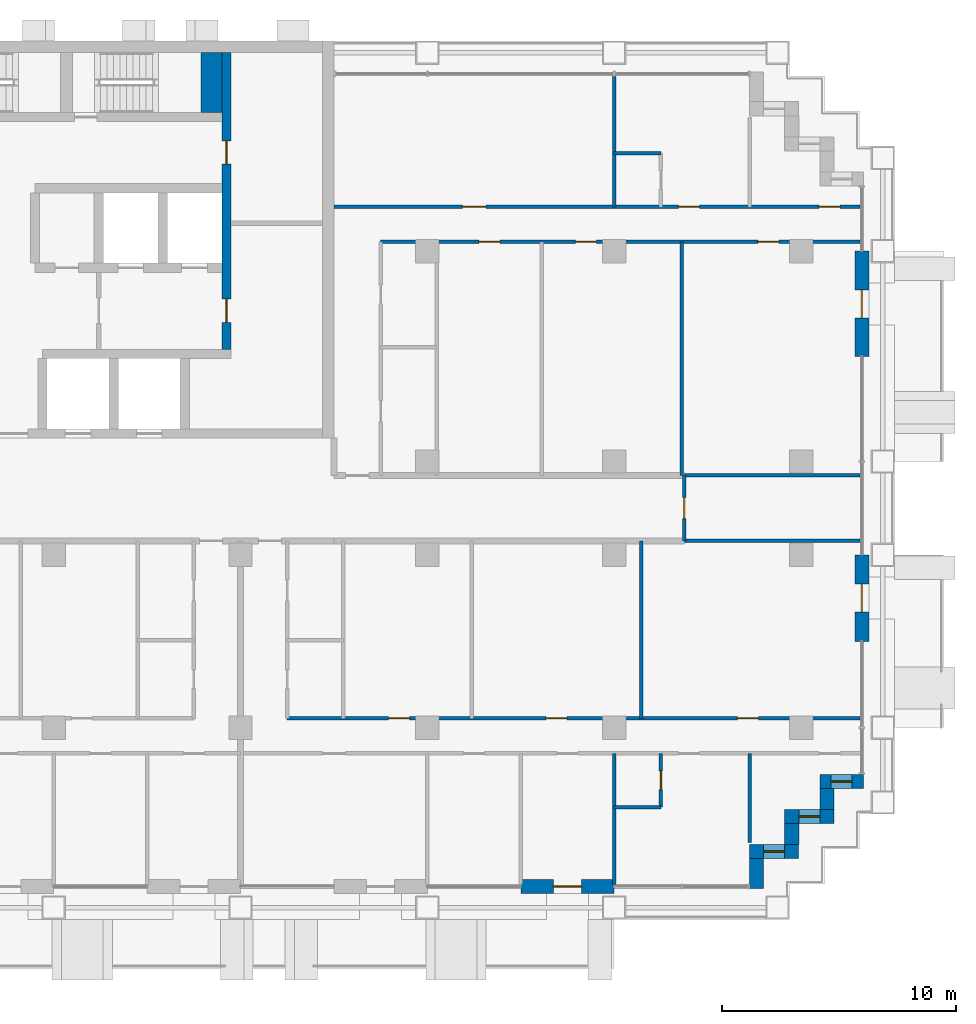
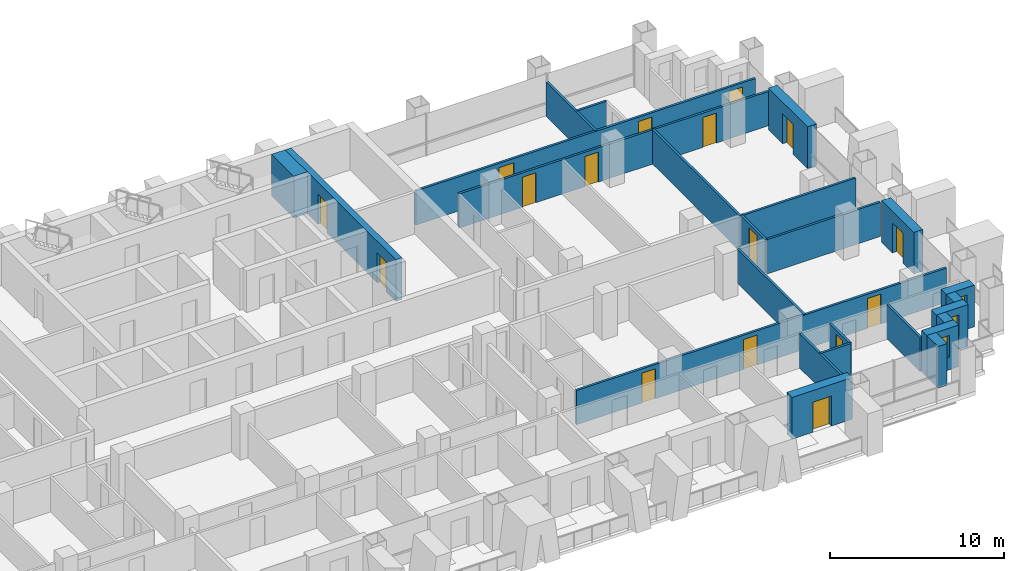
# One storey, part 13 of 18: 25 walls, 16 doors, 3 windows, 19 openings.
"""IFC4 building model written with IfcOpenShell, lengths in metres."""

from ifc_helpers import new_model, si_unit, direction, frame, frame_2d, origin, place, context, subcontext, project, spatial, rectangle, extrude, material, layer, layer_set, type_object, element, fill, save


model = new_model("IFC4")

# Units and contexts
model_context = context("Model", 3, precision=1e-05, world=origin(), true_north=direction((0.0, 1.0)))
body_context = subcontext(model_context, "Body", "Model", "MODEL_VIEW")
ifc_project = project(units=[si_unit("LENGTHUNIT", "METRE"), si_unit("AREAUNIT", "SQUARE_METRE"), si_unit("VOLUMEUNIT", "CUBIC_METRE"), si_unit("PLANEANGLEUNIT", "RADIAN"), si_unit("MASSUNIT", "GRAM", prefix="KILO")], contexts=[model_context])

# Site, building, storey
site_placement = place(None, origin())
site = spatial("IfcSite", under=ifc_project, at=site_placement, CompositionType="ELEMENT")
building_placement = place(site_placement, origin())
building = spatial("IfcBuilding", under=site, at=building_placement, Name="Vidyagriha Tower", CompositionType="ELEMENT")
storey_placement = place(building_placement, frame((0.0, 0.0, 51.199951171875)))
storey = spatial("IfcBuildingStorey", under=building, at=storey_placement, Name="L13", CompositionType="ELEMENT", Elevation=51.199951171875)

# Wall, opening, door
ifc_material_1 = material(Name="Precast concrete C40/50 with brick facing", Category="concrete")
ifc_layer_1 = layer(ifc_material_1, 0.60009765625)
ifc_layer_set_1 = layer_set([ifc_layer_1], Name="Precast concrete C40/50 with brick facing")
wall_type_1 = type_object("IfcWallType", Name="Brick-faced precast wall 600", PredefinedType="STANDARD", material=ifc_layer_set_1)
wall_1_placement = place(storey_placement, frame((22.0, -16.199951171875, 0.0)))
wall_1 = element("IfcWall", 1, at=wall_1_placement, inside=storey, type_object=wall_type_1, Name="Brick door bay wall L13 R23.15", PredefinedType="STANDARD", context=body_context, shape_type="SweptSolid", body=[
    extrude(rectangle(XDim=4.0, YDim=0.60009765625, at=frame_2d((2.0, 0.0))), origin(), (0.0, 0.0, 1.0), 2.920166015625),
])
opening_1_placement = place(wall_1_placement, frame((1.39990234375, 0.0, 0.0)))
opening_1 = element("IfcOpeningElement", 2, at=opening_1_placement, cuts=wall_1, Name="Opening D13-79", PredefinedType="OPENING", context=body_context, shape_type="SweptSolid", body=[
    extrude(rectangle(XDim=1.199951171875, YDim=2.10009765625, at=frame_2d((0.60009765625, 1.050048828125))), frame((0.0, 0.31005859375, 0.0), z_axis=(0.0, -1.0, 0.0), x_axis=(1.0, 0.0, 0.0)), (0.0, 0.0, 1.0), 0.6201171875),
])
ifc_material_2 = material(Name="Aluminium framed glazed sliding door", Category="aluminium")
door_type_1 = type_object("IfcDoorType", Name="Balcony sliding door 1200x2100", OperationType="NOTDEFINED", PredefinedType="DOOR", material=ifc_material_2)
door_1_placement = place(opening_1_placement, origin())
door_1 = element("IfcDoor", 3, at=door_1_placement, inside=storey, type_object=door_type_1, Name="Door D13-79", OperationType="SLIDING_TO_LEFT", OverallHeight=2.10009765625, OverallWidth=1.199951171875, PredefinedType="DOOR", context=body_context, shape_type="SweptSolid", body=[
    extrude(rectangle(XDim=1.199951171875, YDim=2.10009765625, at=frame_2d((0.60009765625, 1.050048828125))), frame((0.0, 0.02490234375, 0.0), z_axis=(0.0, -1.0, 0.0), x_axis=(1.0, 0.0, 0.0)), (0.0, 0.0, 1.0), 0.050048828125),
])
fill(opening_1, door_1)

# Wall
wall_2_placement = place(storey_placement, frame((32.10009765625, -16.280029296875, 0.0), z_axis=(0.0, 0.0, 1.0), x_axis=(0.0, 1.0, 0.0)))
element("IfcWall", 4, at=wall_2_placement, inside=storey, type_object=wall_type_1, Name="Stepped corner wall L13 R24", PredefinedType="STANDARD", context=body_context, shape_type="SweptSolid", body=[
    extrude(rectangle(XDim=1.280029296875, YDim=0.60009765625, at=frame_2d((0.64013671875, 0.0))), origin(), (0.0, 0.0, 1.0), 2.920166015625),
])

# Wall, opening, window
wall_3_placement = place(storey_placement, frame((31.800048828125, -14.699951171875, 0.0)))
wall_3 = element("IfcWall", 5, at=wall_3_placement, inside=storey, type_object=wall_type_1, Name="Stepped corner wall L13 R25", PredefinedType="STANDARD", context=body_context, shape_type="SweptSolid", body=[
    extrude(rectangle(XDim=2.099853515625, YDim=0.60009765625, at=frame_2d((1.0498046875, 0.0))), origin(), (0.0, 0.0, 1.0), 2.920166015625),
])
opening_2_placement = place(wall_3_placement, frame((0.60009765625, 0.0, 0.89990234375)))
opening_2 = element("IfcOpeningElement", 6, at=opening_2_placement, cuts=wall_3, Name="Opening WN1", PredefinedType="OPENING", context=body_context, shape_type="SweptSolid", body=[
    extrude(rectangle(XDim=0.89990234375, YDim=1.5, at=frame_2d((0.449951171875, 0.75))), frame((0.0, 0.31005859375, 0.0), z_axis=(0.0, -1.0, 0.0), x_axis=(1.0, 0.0, 0.0)), (0.0, 0.0, 1.0), 0.6201171875),
])
ifc_material_3 = material(Name="Aluminium and glass window", Category="aluminium")
window_type = type_object("IfcWindowType", Name="Reveal window 900x1500", PartitioningType="NOTDEFINED", PredefinedType="WINDOW", material=ifc_material_3)
window_1_placement = place(opening_2_placement, origin())
window_1 = element("IfcWindow", 7, at=window_1_placement, inside=storey, type_object=window_type, Name="Reveal window L13 R25", OverallHeight=1.5, OverallWidth=0.89990234375, PartitioningType="SINGLE_PANEL", PredefinedType="WINDOW", context=body_context, shape_type="SweptSolid", body=[
    extrude(rectangle(XDim=0.89990234375, YDim=1.5, at=frame_2d((0.449951171875, 0.75))), frame((0.0, 0.030029296875, 0.0), z_axis=(0.0, -1.0, 0.0), x_axis=(1.0, 0.0, 0.0)), (0.0, 0.0, 1.0), 0.06005859375),
])
fill(opening_2, window_1)

# Wall
wall_4_placement = place(storey_placement, frame((33.60009765625, -14.39990234375, 0.0), z_axis=(0.0, 0.0, 1.0), x_axis=(0.0, 1.0, 0.0)))
element("IfcWall", 8, at=wall_4_placement, inside=storey, type_object=wall_type_1, Name="Stepped corner wall L13 R26", PredefinedType="STANDARD", context=body_context, shape_type="SweptSolid", body=[
    extrude(rectangle(XDim=0.89990234375, YDim=0.60009765625, at=frame_2d((0.449951171875, 0.0))), origin(), (0.0, 0.0, 1.0), 2.920166015625),
])

# Wall, opening, window
wall_5_placement = place(storey_placement, frame((33.300048828125, -13.199951171875, 0.0)))
wall_5 = element("IfcWall", 9, at=wall_5_placement, inside=storey, type_object=wall_type_1, Name="Stepped corner wall L13 R27", PredefinedType="STANDARD", context=body_context, shape_type="SweptSolid", body=[
    extrude(rectangle(XDim=2.099853515625, YDim=0.60009765625, at=frame_2d((1.0498046875, 0.0))), origin(), (0.0, 0.0, 1.0), 2.920166015625),
])
opening_3_placement = place(wall_5_placement, frame((0.60009765625, 0.0, 0.89990234375)))
opening_3 = element("IfcOpeningElement", 10, at=opening_3_placement, cuts=wall_5, Name="Opening WN1", PredefinedType="OPENING", context=body_context, shape_type="SweptSolid", body=[
    extrude(rectangle(XDim=0.89990234375, YDim=1.5, at=frame_2d((0.449951171875, 0.75))), frame((0.0, 0.31005859375, 0.0), z_axis=(0.0, -1.0, 0.0), x_axis=(1.0, 0.0, 0.0)), (0.0, 0.0, 1.0), 0.6201171875),
])
window_2_placement = place(opening_3_placement, origin())
window_2 = element("IfcWindow", 11, at=window_2_placement, inside=storey, type_object=window_type, Name="Reveal window L13 R27", OverallHeight=1.5, OverallWidth=0.89990234375, PartitioningType="SINGLE_PANEL", PredefinedType="WINDOW", context=body_context, shape_type="SweptSolid", body=[
    extrude(rectangle(XDim=0.89990234375, YDim=1.5, at=frame_2d((0.449951171875, 0.75))), frame((0.0, 0.030029296875, 0.0), z_axis=(0.0, -1.0, 0.0), x_axis=(1.0, 0.0, 0.0)), (0.0, 0.0, 1.0), 0.06005859375),
])
fill(opening_3, window_2)

# Wall
wall_6_placement = place(storey_placement, frame((35.10009765625, -12.89990234375, 0.0), z_axis=(0.0, 0.0, 1.0), x_axis=(0.0, 1.0, 0.0)))
element("IfcWall", 12, at=wall_6_placement, inside=storey, type_object=wall_type_1, Name="Stepped corner wall L13 R28", PredefinedType="STANDARD", context=body_context, shape_type="SweptSolid", body=[
    extrude(rectangle(XDim=0.89990234375, YDim=0.60009765625, at=frame_2d((0.449951171875, 0.0))), origin(), (0.0, 0.0, 1.0), 2.920166015625),
])

# Wall, opening, window
wall_7_placement = place(storey_placement, frame((34.800048828125, -11.699951171875, 0.0)))
wall_7 = element("IfcWall", 13, at=wall_7_placement, inside=storey, type_object=wall_type_1, Name="Stepped corner wall L13 R29", PredefinedType="STANDARD", context=body_context, shape_type="SweptSolid", body=[
    extrude(rectangle(XDim=1.8798828125, YDim=0.60009765625, at=frame_2d((0.93994140625, 0.0))), origin(), (0.0, 0.0, 1.0), 2.920166015625),
])
opening_4_placement = place(wall_7_placement, frame((0.489990234375, 0.0, 0.89990234375)))
opening_4 = element("IfcOpeningElement", 14, at=opening_4_placement, cuts=wall_7, Name="Opening WN1", PredefinedType="OPENING", context=body_context, shape_type="SweptSolid", body=[
    extrude(rectangle(XDim=0.89990234375, YDim=1.5, at=frame_2d((0.449951171875, 0.75))), frame((0.0, 0.31005859375, 0.0), z_axis=(0.0, -1.0, 0.0), x_axis=(1.0, 0.0, 0.0)), (0.0, 0.0, 1.0), 0.6201171875),
])
window_3_placement = place(opening_4_placement, origin())
window_3 = element("IfcWindow", 15, at=window_3_placement, inside=storey, type_object=window_type, Name="Reveal window L13 R29", OverallHeight=1.5, OverallWidth=0.89990234375, PartitioningType="SINGLE_PANEL", PredefinedType="WINDOW", context=body_context, shape_type="SweptSolid", body=[
    extrude(rectangle(XDim=0.89990234375, YDim=1.5, at=frame_2d((0.449951171875, 0.75))), frame((0.0, 0.030029296875, 0.0), z_axis=(0.0, -1.0, 0.0), x_axis=(1.0, 0.0, 0.0)), (0.0, 0.0, 1.0), 0.06005859375),
])
fill(opening_4, window_3)

# Wall, opening, door
wall_8_placement = place(storey_placement, frame((36.60009765625, -5.699951171875, 0.0), z_axis=(0.0, 0.0, 1.0), x_axis=(0.0, 1.0, 0.0)))
wall_8 = element("IfcWall", 16, at=wall_8_placement, inside=storey, type_object=wall_type_1, Name="Brick door bay wall L13 R30.3", PredefinedType="STANDARD", context=body_context, shape_type="SweptSolid", body=[
    extrude(rectangle(XDim=3.699951171875, YDim=0.60009765625, at=frame_2d((1.85009765625, 0.0))), origin(), (0.0, 0.0, 1.0), 2.920166015625),
])
opening_5_placement = place(wall_8_placement, frame((1.25, 0.0, 0.0)))
opening_5 = element("IfcOpeningElement", 17, at=opening_5_placement, cuts=wall_8, Name="Opening D13-80", PredefinedType="OPENING", context=body_context, shape_type="SweptSolid", body=[
    extrude(rectangle(XDim=1.199951171875, YDim=2.10009765625, at=frame_2d((0.60009765625, 1.050048828125))), frame((0.0, 0.31005859375, 0.0), z_axis=(0.0, -1.0, 0.0), x_axis=(1.0, 0.0, 0.0)), (0.0, 0.0, 1.0), 0.6201171875),
])
door_2_placement = place(opening_5_placement, origin())
door_2 = element("IfcDoor", 18, at=door_2_placement, inside=storey, type_object=door_type_1, Name="Door D13-80", OperationType="SLIDING_TO_LEFT", OverallHeight=2.10009765625, OverallWidth=1.199951171875, PredefinedType="DOOR", context=body_context, shape_type="SweptSolid", body=[
    extrude(rectangle(XDim=1.199951171875, YDim=2.10009765625, at=frame_2d((0.60009765625, 1.050048828125))), frame((0.0, 0.02490234375, 0.0), z_axis=(0.0, -1.0, 0.0), x_axis=(1.0, 0.0, 0.0)), (0.0, 0.0, 1.0), 0.050048828125),
])
fill(opening_5, door_2)

wall_9_placement = place(storey_placement, frame((36.60009765625, 6.5, 0.0), z_axis=(0.0, 0.0, 1.0), x_axis=(0.0, 1.0, 0.0)))
wall_9 = element("IfcWall", 19, at=wall_9_placement, inside=storey, type_object=wall_type_1, Name="Brick door bay wall L13 R30.6", PredefinedType="STANDARD", context=body_context, shape_type="SweptSolid", body=[
    extrude(rectangle(XDim=4.5, YDim=0.60009765625, at=frame_2d((2.25, 0.0))), origin(), (0.0, 0.0, 1.0), 2.920166015625),
])
opening_6_placement = place(wall_9_placement, frame((1.64990234375, 0.0, 0.0)))
opening_6 = element("IfcOpeningElement", 20, at=opening_6_placement, cuts=wall_9, Name="Opening D13-81", PredefinedType="OPENING", context=body_context, shape_type="SweptSolid", body=[
    extrude(rectangle(XDim=1.199951171875, YDim=2.10009765625, at=frame_2d((0.60009765625, 1.050048828125))), frame((0.0, 0.31005859375, 0.0), z_axis=(0.0, -1.0, 0.0), x_axis=(1.0, 0.0, 0.0)), (0.0, 0.0, 1.0), 0.6201171875),
])
door_3_placement = place(opening_6_placement, origin())
door_3 = element("IfcDoor", 21, at=door_3_placement, inside=storey, type_object=door_type_1, Name="Door D13-81", OperationType="SLIDING_TO_LEFT", OverallHeight=2.10009765625, OverallWidth=1.199951171875, PredefinedType="DOOR", context=body_context, shape_type="SweptSolid", body=[
    extrude(rectangle(XDim=1.199951171875, YDim=2.10009765625, at=frame_2d((0.60009765625, 1.050048828125))), frame((0.0, 0.02490234375, 0.0), z_axis=(0.0, -1.0, 0.0), x_axis=(1.0, 0.0, 0.0)), (0.0, 0.0, 1.0), 0.050048828125),
])
fill(opening_6, door_3)

# Wall, openings, doors
ifc_material_4 = material(Name="Concrete C60/75", Category="concrete")
ifc_layer_2 = layer(ifc_material_4, 0.39990234375)
ifc_layer_set_2 = layer_set([ifc_layer_2], Name="Concrete C60/75")
wall_type_2 = type_object("IfcWallType", Name="Core shear wall 400 mm", PredefinedType="SHEAR", material=ifc_layer_set_2)
wall_10_placement = place(storey_placement, frame((9.39990234375, 6.800048828125, 0.0), z_axis=(0.0, 0.0, 1.0), x_axis=(0.0, 1.0, 0.0)))
wall_10 = element("IfcWall", 22, at=wall_10_placement, inside=storey, type_object=wall_type_2, Name="Core east spine wall", PredefinedType="SHEAR", context=body_context, shape_type="SweptSolid", body=[
    extrude(rectangle(XDim=12.699951171875, YDim=0.39990234375, at=frame_2d((6.35009765625, 0.0))), origin(), (0.0, 0.0, 1.0), 2.920166015625),
])
opening_7_placement = place(wall_10_placement, frame((1.14990234375, 0.0, 0.0)))
opening_7 = element("IfcOpeningElement", 23, at=opening_7_placement, cuts=wall_10, Name="Opening D13-11", PredefinedType="OPENING", context=body_context, shape_type="SweptSolid", body=[
    extrude(rectangle(XDim=1.0, YDim=2.10009765625, at=frame_2d((0.5, 1.050048828125))), frame((0.0, 0.2099609375, 0.0), z_axis=(0.0, -1.0, 0.0), x_axis=(1.0, 0.0, 0.0)), (0.0, 0.0, 1.0), 0.419921875),
])
opening_8_placement = place(wall_10_placement, frame((7.925048828125, 0.0, 0.0)))
opening_8 = element("IfcOpeningElement", 24, at=opening_8_placement, cuts=wall_10, Name="Opening D13-12", PredefinedType="OPENING", context=body_context, shape_type="SweptSolid", body=[
    extrude(rectangle(XDim=1.0, YDim=2.10009765625, at=frame_2d((0.5, 1.050048828125))), frame((0.0, 0.2099609375, 0.0), z_axis=(0.0, -1.0, 0.0), x_axis=(1.0, 0.0, 0.0)), (0.0, 0.0, 1.0), 0.419921875),
])
ifc_material_5 = material(Name="Hollow metal door leaf")
door_type_2 = type_object("IfcDoorType", Name="Core room door 1000 x 2100 mm EI 60", OperationType="NOTDEFINED", PredefinedType="DOOR", material=ifc_material_5)
door_4_placement = place(opening_7_placement, origin())
door_4 = element("IfcDoor", 25, at=door_4_placement, inside=storey, type_object=door_type_2, Name="Door Storage Room 13.E1", OperationType="SINGLE_SWING_RIGHT", OverallHeight=2.10009765625, OverallWidth=1.0, PredefinedType="DOOR", context=body_context, shape_type="SweptSolid", body=[
    extrude(rectangle(XDim=1.0, YDim=2.10009765625, at=frame_2d((0.5, 1.050048828125))), frame((0.0, 0.02490234375, 0.0), z_axis=(0.0, -1.0, 0.0), x_axis=(1.0, 0.0, 0.0)), (0.0, 0.0, 1.0), 0.050048828125),
])
fill(opening_7, door_4)
door_5_placement = place(opening_8_placement, origin())
door_5 = element("IfcDoor", 26, at=door_5_placement, inside=storey, type_object=door_type_2, Name="Door Cleaners Store 13.E2", OperationType="SINGLE_SWING_LEFT", OverallHeight=2.10009765625, OverallWidth=1.0, PredefinedType="DOOR", context=body_context, shape_type="SweptSolid", body=[
    extrude(rectangle(XDim=1.0, YDim=2.10009765625, at=frame_2d((0.5, 1.050048828125))), frame((0.0, 0.02490234375, 0.0), z_axis=(0.0, -1.0, 0.0), x_axis=(1.0, 0.0, 0.0)), (0.0, 0.0, 1.0), 0.050048828125),
])
fill(opening_8, door_5)

# Walls
ifc_material_6 = material(Name="Concrete C60/75", Category="concrete")
ifc_layer_3 = layer(ifc_material_6, 0.89990234375)
ifc_layer_set_3 = layer_set([ifc_layer_3], Name="Concrete C60/75")
wall_type_3 = type_object("IfcWallType", Name="Core shear wall 900 mm", PredefinedType="SHEAR", material=ifc_layer_set_3)
wall_11_placement = place(storey_placement, frame((8.75, 16.949951171875, 0.0), z_axis=(0.0, 0.0, 1.0), x_axis=(0.0, 1.0, 0.0)))
element("IfcWall", 27, at=wall_11_placement, inside=storey, type_object=wall_type_3, Name="Stair end wall", PredefinedType="SHEAR", context=body_context, shape_type="SweptSolid", body=[
    extrude(rectangle(XDim=2.550048828125, YDim=0.89990234375, at=frame_2d((1.27490234375, 0.0))), origin(), (0.0, 0.0, 1.0), 2.920166015625),
])
ifc_material_7 = material(Name="Gypsum board partition")
ifc_layer_4 = layer(ifc_material_7, 0.14990234375)
ifc_layer_set_4 = layer_set([ifc_layer_4], Name="Gypsum board partition")
wall_type_4 = type_object("IfcWallType", Name="Gypsum board partition 150", PredefinedType="PARTITIONING", material=ifc_layer_set_4)
wall_12_placement = place(storey_placement, frame((27.14990234375, -1.39990234375, 0.0), z_axis=(0.0, 0.0, 1.0), x_axis=(0.0, -1.0, 0.0)))
element("IfcWall", 28, at=wall_12_placement, inside=storey, type_object=wall_type_4, Name="Wall all-L13-w053", PredefinedType="PARTITIONING", context=body_context, shape_type="SweptSolid", body=[
    extrude(rectangle(XDim=7.60009765625, YDim=0.14990234375, at=frame_2d((3.800048828125, 0.0))), origin(), (0.0, 0.0, 1.0), 2.400146484375),
])

# Wall, openings, doors
wall_13_placement = place(storey_placement, frame((12.0, -9.0, 0.0)))
wall_13 = element("IfcWall", 29, at=wall_13_placement, inside=storey, type_object=wall_type_4, Name="Wall all-L13-w054", PredefinedType="PARTITIONING", context=body_context, shape_type="SweptSolid", body=[
    extrude(rectangle(XDim=24.52001953125, YDim=0.14990234375, at=frame_2d((12.260009765625, 0.0))), origin(), (0.0, 0.0, 1.0), 2.400146484375),
])
opening_9_placement = place(wall_13_placement, frame((4.340087890625, 0.0, 0.0)))
opening_9 = element("IfcOpeningElement", 30, at=opening_9_placement, cuts=wall_13, Name="Opening D13-37", PredefinedType="OPENING", context=body_context, shape_type="SweptSolid", body=[
    extrude(rectangle(XDim=0.89990234375, YDim=2.10009765625, at=frame_2d((0.449951171875, 1.050048828125))), frame((0.0, 0.0849609375, 0.0), z_axis=(0.0, -1.0, 0.0), x_axis=(1.0, 0.0, 0.0)), (0.0, 0.0, 1.0), 0.169921875),
])
opening_10_placement = place(wall_13_placement, frame((11.074951171875, 0.0, 0.0)))
opening_10 = element("IfcOpeningElement", 31, at=opening_10_placement, cuts=wall_13, Name="Opening D13-38", PredefinedType="OPENING", context=body_context, shape_type="SweptSolid", body=[
    extrude(rectangle(XDim=0.89990234375, YDim=2.10009765625, at=frame_2d((0.449951171875, 1.050048828125))), frame((0.0, 0.0849609375, 0.0), z_axis=(0.0, -1.0, 0.0), x_axis=(1.0, 0.0, 0.0)), (0.0, 0.0, 1.0), 0.169921875),
])
opening_11_placement = place(wall_13_placement, frame((19.27490234375, 0.0, 0.0)))
opening_11 = element("IfcOpeningElement", 32, at=opening_11_placement, cuts=wall_13, Name="Opening D13-39", PredefinedType="OPENING", context=body_context, shape_type="SweptSolid", body=[
    extrude(rectangle(XDim=0.89990234375, YDim=2.10009765625, at=frame_2d((0.449951171875, 1.050048828125))), frame((0.0, 0.0849609375, 0.0), z_axis=(0.0, -1.0, 0.0), x_axis=(1.0, 0.0, 0.0)), (0.0, 0.0, 1.0), 0.169921875),
])
ifc_material_8 = material(Name="Timber door leaf", Category="wood")
door_type_3 = type_object("IfcDoorType", Name="Room door 900x2100", OperationType="NOTDEFINED", PredefinedType="DOOR", material=ifc_material_8)
door_6_placement = place(opening_9_placement, origin())
door_6 = element("IfcDoor", 33, at=door_6_placement, inside=storey, type_object=door_type_3, Name="Door D13-37", OperationType="SINGLE_SWING_LEFT", OverallHeight=2.10009765625, OverallWidth=0.89990234375, PredefinedType="DOOR", context=body_context, shape_type="SweptSolid", body=[
    extrude(rectangle(XDim=0.89990234375, YDim=2.10009765625, at=frame_2d((0.449951171875, 1.050048828125))), frame((0.0, 0.02490234375, 0.0), z_axis=(0.0, -1.0, 0.0), x_axis=(1.0, 0.0, 0.0)), (0.0, 0.0, 1.0), 0.050048828125),
])
fill(opening_9, door_6)
door_7_placement = place(opening_10_placement, origin())
door_7 = element("IfcDoor", 34, at=door_7_placement, inside=storey, type_object=door_type_3, Name="Door D13-38", OperationType="SINGLE_SWING_RIGHT", OverallHeight=2.10009765625, OverallWidth=0.89990234375, PredefinedType="DOOR", context=body_context, shape_type="SweptSolid", body=[
    extrude(rectangle(XDim=0.89990234375, YDim=2.10009765625, at=frame_2d((0.449951171875, 1.050048828125))), frame((0.0, 0.02490234375, 0.0), z_axis=(0.0, -1.0, 0.0), x_axis=(1.0, 0.0, 0.0)), (0.0, 0.0, 1.0), 0.050048828125),
])
fill(opening_10, door_7)
door_8_placement = place(opening_11_placement, origin())
door_8 = element("IfcDoor", 35, at=door_8_placement, inside=storey, type_object=door_type_3, Name="Door D13-39", OperationType="SINGLE_SWING_RIGHT", OverallHeight=2.10009765625, OverallWidth=0.89990234375, PredefinedType="DOOR", context=body_context, shape_type="SweptSolid", body=[
    extrude(rectangle(XDim=0.89990234375, YDim=2.10009765625, at=frame_2d((0.449951171875, 1.050048828125))), frame((0.0, 0.02490234375, 0.0), z_axis=(0.0, -1.0, 0.0), x_axis=(1.0, 0.0, 0.0)), (0.0, 0.0, 1.0), 0.050048828125),
])
fill(opening_11, door_8)

# Walls
wall_14_placement = place(storey_placement, frame((26.0, -10.5, 0.0), z_axis=(0.0, 0.0, 1.0), x_axis=(0.0, -1.0, 0.0)))
element("IfcWall", 36, at=wall_14_placement, inside=storey, type_object=wall_type_4, Name="Wall all-L13-w066", PredefinedType="PARTITIONING", context=body_context, shape_type="SweptSolid", body=[
    extrude(rectangle(XDim=5.610107421875, YDim=0.14990234375, at=frame_2d((2.80517578125, 0.0))), origin(), (0.0, 0.0, 1.0), 2.400146484375),
])
wall_15_placement = place(storey_placement, frame((31.800048828125, -10.5, 0.0), z_axis=(0.0, 0.0, 1.0), x_axis=(0.0, -1.0, 0.0)))
element("IfcWall", 37, at=wall_15_placement, inside=storey, type_object=wall_type_4, Name="Wall all-L13-w067", PredefinedType="PARTITIONING", context=body_context, shape_type="SweptSolid", body=[
    extrude(rectangle(XDim=3.820068359375, YDim=0.14990234375, at=frame_2d((1.91015625, 0.0))), origin(), (0.0, 0.0, 1.0), 2.400146484375),
])

# Wall, opening, door
wall_16_placement = place(storey_placement, frame((28.0, -10.5, 0.0), z_axis=(0.0, 0.0, 1.0), x_axis=(0.0, -1.0, 0.0)))
wall_16 = element("IfcWall", 38, at=wall_16_placement, inside=storey, type_object=wall_type_4, Name="Wall all-L13-w068", PredefinedType="PARTITIONING", context=body_context, shape_type="SweptSolid", body=[
    extrude(rectangle(XDim=2.300048828125, YDim=0.14990234375, at=frame_2d((1.14990234375, 0.0))), origin(), (0.0, 0.0, 1.0), 2.400146484375),
])
opening_12_placement = place(wall_16_placement, frame((0.75, 0.0, 0.0)))
opening_12 = element("IfcOpeningElement", 39, at=opening_12_placement, cuts=wall_16, Name="Opening D13-45", PredefinedType="OPENING", context=body_context, shape_type="SweptSolid", body=[
    extrude(rectangle(XDim=0.800048828125, YDim=2.10009765625, at=frame_2d((0.39990234375, 1.050048828125))), frame((0.0, 0.0849609375, 0.0), z_axis=(0.0, -1.0, 0.0), x_axis=(1.0, 0.0, 0.0)), (0.0, 0.0, 1.0), 0.169921875),
])
ifc_material_9 = material(Name="Timber door leaf", Category="wood")
door_type_4 = type_object("IfcDoorType", Name="Bathroom door 800x2100", OperationType="NOTDEFINED", PredefinedType="DOOR", material=ifc_material_9)
door_9_placement = place(opening_12_placement, origin())
door_9 = element("IfcDoor", 40, at=door_9_placement, inside=storey, type_object=door_type_4, Name="Door D13-45", OperationType="SINGLE_SWING_LEFT", OverallHeight=2.10009765625, OverallWidth=0.800048828125, PredefinedType="DOOR", context=body_context, shape_type="SweptSolid", body=[
    extrude(rectangle(XDim=0.800048828125, YDim=2.10009765625, at=frame_2d((0.39990234375, 1.050048828125))), frame((0.0, 0.02490234375, 0.0), z_axis=(0.0, -1.0, 0.0), x_axis=(1.0, 0.0, 0.0)), (0.0, 0.0, 1.0), 0.050048828125),
])
fill(opening_12, door_9)

# Walls
wall_17_placement = place(storey_placement, frame((28.0, -12.800048828125, 0.0), z_axis=(0.0, 0.0, 1.0), x_axis=(-1.0, 0.0, 0.0)))
element("IfcWall", 41, at=wall_17_placement, inside=storey, type_object=wall_type_4, Name="Wall all-L13-w069", PredefinedType="PARTITIONING", context=body_context, shape_type="SweptSolid", body=[
    extrude(rectangle(XDim=2.0, YDim=0.14990234375, at=frame_2d((1.0, 0.0))), origin(), (0.0, 0.0, 1.0), 2.400146484375),
])
wall_18_placement = place(storey_placement, frame((36.52001953125, -1.39990234375, 0.0), z_axis=(0.0, 0.0, 1.0), x_axis=(-1.0, 0.0, 0.0)))
element("IfcWall", 42, at=wall_18_placement, inside=storey, type_object=wall_type_4, Name="Wall all-L13-w076", PredefinedType="PARTITIONING", context=body_context, shape_type="SweptSolid", body=[
    extrude(rectangle(XDim=7.52001953125, YDim=0.14990234375, at=frame_2d((3.760009765625, 0.0))), origin(), (0.0, 0.0, 1.0), 2.400146484375),
])
wall_19_placement = place(storey_placement, frame((28.89990234375, 11.39990234375, 0.0), z_axis=(0.0, 0.0, 1.0), x_axis=(0.0, -1.0, 0.0)))
element("IfcWall", 43, at=wall_19_placement, inside=storey, type_object=wall_type_4, Name="Wall all-L13-w110", PredefinedType="PARTITIONING", context=body_context, shape_type="SweptSolid", body=[
    extrude(rectangle(XDim=10.0, YDim=0.14990234375, at=frame_2d((5.0, 0.0))), origin(), (0.0, 0.0, 1.0), 2.400146484375),
])

# Wall, openings, doors
wall_20_placement = place(storey_placement, frame((36.52001953125, 11.39990234375, 0.0), z_axis=(0.0, 0.0, 1.0), x_axis=(-1.0, 0.0, 0.0)))
wall_20 = element("IfcWall", 44, at=wall_20_placement, inside=storey, type_object=wall_type_4, Name="Wall all-L13-w111", PredefinedType="PARTITIONING", context=body_context, shape_type="SweptSolid", body=[
    extrude(rectangle(XDim=20.52001953125, YDim=0.14990234375, at=frame_2d((10.260009765625, 0.0))), origin(), (0.0, 0.0, 1.0), 2.400146484375),
])
opening_13_placement = place(wall_20_placement, frame((15.419921875, 0.0, 0.0)))
opening_13 = element("IfcOpeningElement", 45, at=opening_13_placement, cuts=wall_20, Name="Opening D13-61", PredefinedType="OPENING", context=body_context, shape_type="SweptSolid", body=[
    extrude(rectangle(XDim=0.89990234375, YDim=2.10009765625, at=frame_2d((0.449951171875, 1.050048828125))), frame((0.0, 0.0849609375, 0.0), z_axis=(0.0, -1.0, 0.0), x_axis=(1.0, 0.0, 0.0)), (0.0, 0.0, 1.0), 0.169921875),
])
opening_14_placement = place(wall_20_placement, frame((11.280029296875, 0.0, 0.0)))
opening_14 = element("IfcOpeningElement", 46, at=opening_14_placement, cuts=wall_20, Name="Opening D13-62", PredefinedType="OPENING", context=body_context, shape_type="SweptSolid", body=[
    extrude(rectangle(XDim=0.89990234375, YDim=2.10009765625, at=frame_2d((0.449951171875, 1.050048828125))), frame((0.0, 0.0849609375, 0.0), z_axis=(0.0, -1.0, 0.0), x_axis=(1.0, 0.0, 0.0)), (0.0, 0.0, 1.0), 0.169921875),
])
opening_15_placement = place(wall_20_placement, frame((3.469970703125, 0.0, 0.0)))
opening_15 = element("IfcOpeningElement", 47, at=opening_15_placement, cuts=wall_20, Name="Opening D13-63", PredefinedType="OPENING", context=body_context, shape_type="SweptSolid", body=[
    extrude(rectangle(XDim=0.89990234375, YDim=2.10009765625, at=frame_2d((0.449951171875, 1.050048828125))), frame((0.0, 0.0849609375, 0.0), z_axis=(0.0, -1.0, 0.0), x_axis=(1.0, 0.0, 0.0)), (0.0, 0.0, 1.0), 0.169921875),
])
door_10_placement = place(opening_13_placement, origin())
door_10 = element("IfcDoor", 48, at=door_10_placement, inside=storey, type_object=door_type_3, Name="Door D13-61", OperationType="SINGLE_SWING_RIGHT", OverallHeight=2.10009765625, OverallWidth=0.89990234375, PredefinedType="DOOR", context=body_context, shape_type="SweptSolid", body=[
    extrude(rectangle(XDim=0.89990234375, YDim=2.10009765625, at=frame_2d((0.449951171875, 1.050048828125))), frame((0.0, 0.02490234375, 0.0), z_axis=(0.0, -1.0, 0.0), x_axis=(1.0, 0.0, 0.0)), (0.0, 0.0, 1.0), 0.050048828125),
])
fill(opening_13, door_10)
door_11_placement = place(opening_14_placement, origin())
door_11 = element("IfcDoor", 49, at=door_11_placement, inside=storey, type_object=door_type_3, Name="Door D13-62", OperationType="SINGLE_SWING_RIGHT", OverallHeight=2.10009765625, OverallWidth=0.89990234375, PredefinedType="DOOR", context=body_context, shape_type="SweptSolid", body=[
    extrude(rectangle(XDim=0.89990234375, YDim=2.10009765625, at=frame_2d((0.449951171875, 1.050048828125))), frame((0.0, 0.02490234375, 0.0), z_axis=(0.0, -1.0, 0.0), x_axis=(1.0, 0.0, 0.0)), (0.0, 0.0, 1.0), 0.050048828125),
])
fill(opening_14, door_11)
door_12_placement = place(opening_15_placement, origin())
door_12 = element("IfcDoor", 50, at=door_12_placement, inside=storey, type_object=door_type_3, Name="Door D13-63", OperationType="SINGLE_SWING_LEFT", OverallHeight=2.10009765625, OverallWidth=0.89990234375, PredefinedType="DOOR", context=body_context, shape_type="SweptSolid", body=[
    extrude(rectangle(XDim=0.89990234375, YDim=2.10009765625, at=frame_2d((0.449951171875, 1.050048828125))), frame((0.0, 0.02490234375, 0.0), z_axis=(0.0, -1.0, 0.0), x_axis=(1.0, 0.0, 0.0)), (0.0, 0.0, 1.0), 0.050048828125),
])
fill(opening_15, door_12)

wall_21_placement = place(storey_placement, frame((14.0, 12.89990234375, 0.0)))
wall_21 = element("IfcWall", 51, at=wall_21_placement, inside=storey, type_object=wall_type_4, Name="Wall all-L13-w115", PredefinedType="PARTITIONING", context=body_context, shape_type="SweptSolid", body=[
    extrude(rectangle(XDim=22.52001953125, YDim=0.14990234375, at=frame_2d((11.260009765625, 0.0))), origin(), (0.0, 0.0, 1.0), 2.400146484375),
])
opening_16_placement = place(wall_21_placement, frame((5.5, 0.0, 0.0)))
opening_16 = element("IfcOpeningElement", 52, at=opening_16_placement, cuts=wall_21, Name="Opening D13-64", PredefinedType="OPENING", context=body_context, shape_type="SweptSolid", body=[
    extrude(rectangle(XDim=1.0, YDim=2.10009765625, at=frame_2d((0.5, 1.050048828125))), frame((0.0, 0.0849609375, 0.0), z_axis=(0.0, -1.0, 0.0), x_axis=(1.0, 0.0, 0.0)), (0.0, 0.0, 1.0), 0.169921875),
])
opening_17_placement = place(wall_21_placement, frame((14.75, 0.0, 0.0)))
opening_17 = element("IfcOpeningElement", 53, at=opening_17_placement, cuts=wall_21, Name="Opening D13-65", PredefinedType="OPENING", context=body_context, shape_type="SweptSolid", body=[
    extrude(rectangle(XDim=0.89990234375, YDim=2.10009765625, at=frame_2d((0.449951171875, 1.050048828125))), frame((0.0, 0.0849609375, 0.0), z_axis=(0.0, -1.0, 0.0), x_axis=(1.0, 0.0, 0.0)), (0.0, 0.0, 1.0), 0.169921875),
])
opening_18_placement = place(wall_21_placement, frame((20.760009765625, 0.0, 0.0)))
opening_18 = element("IfcOpeningElement", 54, at=opening_18_placement, cuts=wall_21, Name="Opening D13-66", PredefinedType="OPENING", context=body_context, shape_type="SweptSolid", body=[
    extrude(rectangle(XDim=0.89990234375, YDim=2.10009765625, at=frame_2d((0.449951171875, 1.050048828125))), frame((0.0, 0.0849609375, 0.0), z_axis=(0.0, -1.0, 0.0), x_axis=(1.0, 0.0, 0.0)), (0.0, 0.0, 1.0), 0.169921875),
])
ifc_material_10 = material(Name="Timber door leaf", Category="wood")
door_type_5 = type_object("IfcDoorType", Name="Room door 1000x2100", OperationType="NOTDEFINED", PredefinedType="DOOR", material=ifc_material_10)
door_13_placement = place(opening_16_placement, origin())
door_13 = element("IfcDoor", 55, at=door_13_placement, inside=storey, type_object=door_type_5, Name="Door D13-64", OperationType="SINGLE_SWING_RIGHT", OverallHeight=2.10009765625, OverallWidth=1.0, PredefinedType="DOOR", context=body_context, shape_type="SweptSolid", body=[
    extrude(rectangle(XDim=1.0, YDim=2.10009765625, at=frame_2d((0.5, 1.050048828125))), frame((0.0, 0.02490234375, 0.0), z_axis=(0.0, -1.0, 0.0), x_axis=(1.0, 0.0, 0.0)), (0.0, 0.0, 1.0), 0.050048828125),
])
fill(opening_16, door_13)
door_14_placement = place(opening_17_placement, origin())
door_14 = element("IfcDoor", 56, at=door_14_placement, inside=storey, type_object=door_type_3, Name="Door D13-65", OperationType="SINGLE_SWING_RIGHT", OverallHeight=2.10009765625, OverallWidth=0.89990234375, PredefinedType="DOOR", context=body_context, shape_type="SweptSolid", body=[
    extrude(rectangle(XDim=0.89990234375, YDim=2.10009765625, at=frame_2d((0.449951171875, 1.050048828125))), frame((0.0, 0.02490234375, 0.0), z_axis=(0.0, -1.0, 0.0), x_axis=(1.0, 0.0, 0.0)), (0.0, 0.0, 1.0), 0.050048828125),
])
fill(opening_17, door_14)
door_15_placement = place(opening_18_placement, origin())
door_15 = element("IfcDoor", 57, at=door_15_placement, inside=storey, type_object=door_type_3, Name="Door D13-66", OperationType="SINGLE_SWING_RIGHT", OverallHeight=2.10009765625, OverallWidth=0.89990234375, PredefinedType="DOOR", context=body_context, shape_type="SweptSolid", body=[
    extrude(rectangle(XDim=0.89990234375, YDim=2.10009765625, at=frame_2d((0.449951171875, 1.050048828125))), frame((0.0, 0.02490234375, 0.0), z_axis=(0.0, -1.0, 0.0), x_axis=(1.0, 0.0, 0.0)), (0.0, 0.0, 1.0), 0.050048828125),
])
fill(opening_18, door_15)

# Walls
wall_22_placement = place(storey_placement, frame((26.0, 18.52099609375, 0.0), z_axis=(0.0, 0.0, 1.0), x_axis=(0.0, -1.0, 0.0)))
element("IfcWall", 58, at=wall_22_placement, inside=storey, type_object=wall_type_4, Name="Wall all-L13-w119", PredefinedType="PARTITIONING", context=body_context, shape_type="SweptSolid", body=[
    extrude(rectangle(XDim=5.62109375, YDim=0.14990234375, at=frame_2d((2.810546875, 0.0))), origin(), (0.0, 0.0, 1.0), 2.400146484375),
])
wall_23_placement = place(storey_placement, frame((26.0, 15.199951171875, 0.0)))
element("IfcWall", 59, at=wall_23_placement, inside=storey, type_object=wall_type_4, Name="Wall all-L13-w122", PredefinedType="PARTITIONING", context=body_context, shape_type="SweptSolid", body=[
    extrude(rectangle(XDim=2.0, YDim=0.14990234375, at=frame_2d((1.0, 0.0))), origin(), (0.0, 0.0, 1.0), 2.400146484375),
])
wall_24_placement = place(storey_placement, frame((29.0, 1.39990234375, 0.0)))
element("IfcWall", 60, at=wall_24_placement, inside=storey, type_object=wall_type_4, Name="Wall all-L13-w126", PredefinedType="PARTITIONING", context=body_context, shape_type="SweptSolid", body=[
    extrude(rectangle(XDim=7.52001953125, YDim=0.14990234375, at=frame_2d((3.760009765625, 0.0))), origin(), (0.0, 0.0, 1.0), 2.400146484375),
])

# Wall, opening, door
wall_25_placement = place(storey_placement, frame((29.0, -1.39990234375, 0.0), z_axis=(0.0, 0.0, 1.0), x_axis=(0.0, 1.0, 0.0)))
wall_25 = element("IfcWall", 61, at=wall_25_placement, inside=storey, type_object=wall_type_4, Name="Wall all-L13-w129", PredefinedType="PARTITIONING", context=body_context, shape_type="SweptSolid", body=[
    extrude(rectangle(XDim=2.7998046875, YDim=0.14990234375, at=frame_2d((1.39990234375, 0.0))), origin(), (0.0, 0.0, 1.0), 2.400146484375),
])
opening_19_placement = place(wall_25_placement, frame((0.949951171875, 0.0, 0.0)))
opening_19 = element("IfcOpeningElement", 62, at=opening_19_placement, cuts=wall_25, Name="Opening D13-70", PredefinedType="OPENING", context=body_context, shape_type="SweptSolid", body=[
    extrude(rectangle(XDim=0.89990234375, YDim=2.10009765625, at=frame_2d((0.449951171875, 1.050048828125))), frame((0.0, 0.0849609375, 0.0), z_axis=(0.0, -1.0, 0.0), x_axis=(1.0, 0.0, 0.0)), (0.0, 0.0, 1.0), 0.169921875),
])
door_16_placement = place(opening_19_placement, origin())
door_16 = element("IfcDoor", 63, at=door_16_placement, inside=storey, type_object=door_type_3, Name="Door D13-70", OperationType="SINGLE_SWING_RIGHT", OverallHeight=2.10009765625, OverallWidth=0.89990234375, PredefinedType="DOOR", context=body_context, shape_type="SweptSolid", body=[
    extrude(rectangle(XDim=0.89990234375, YDim=2.10009765625, at=frame_2d((0.449951171875, 1.050048828125))), frame((0.0, 0.02490234375, 0.0), z_axis=(0.0, -1.0, 0.0), x_axis=(1.0, 0.0, 0.0)), (0.0, 0.0, 1.0), 0.050048828125),
])
fill(opening_19, door_16)

save(model, "model.ifc")
